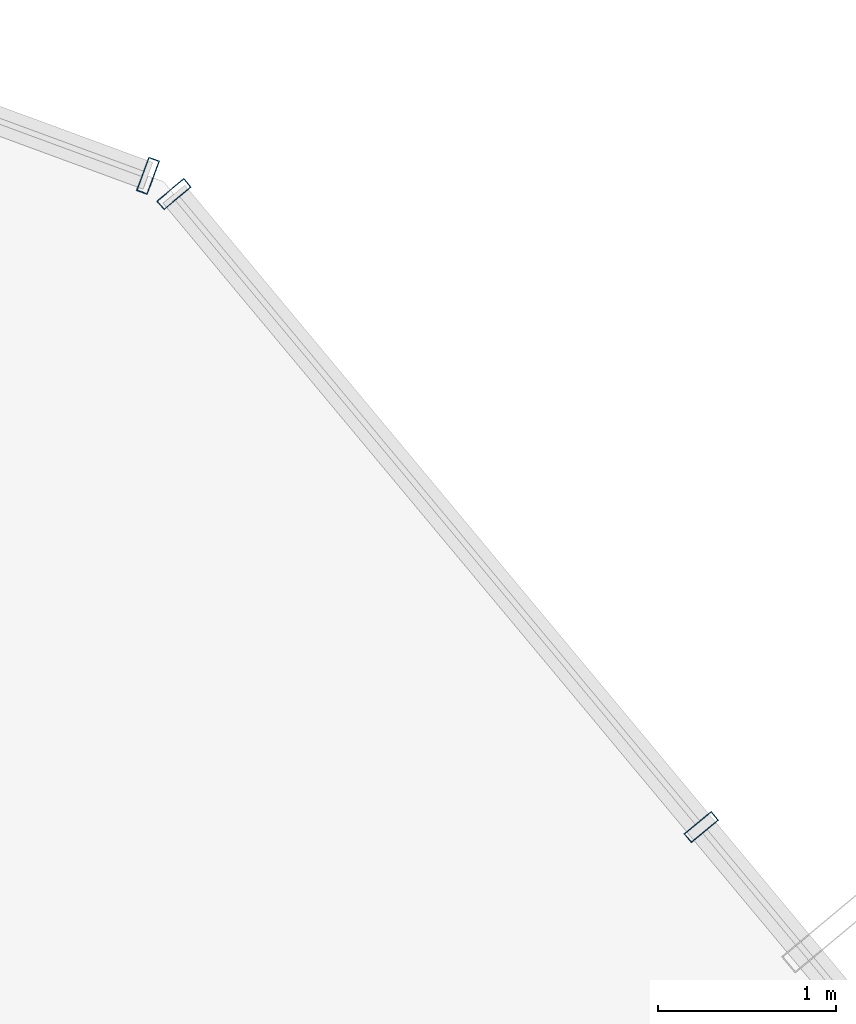
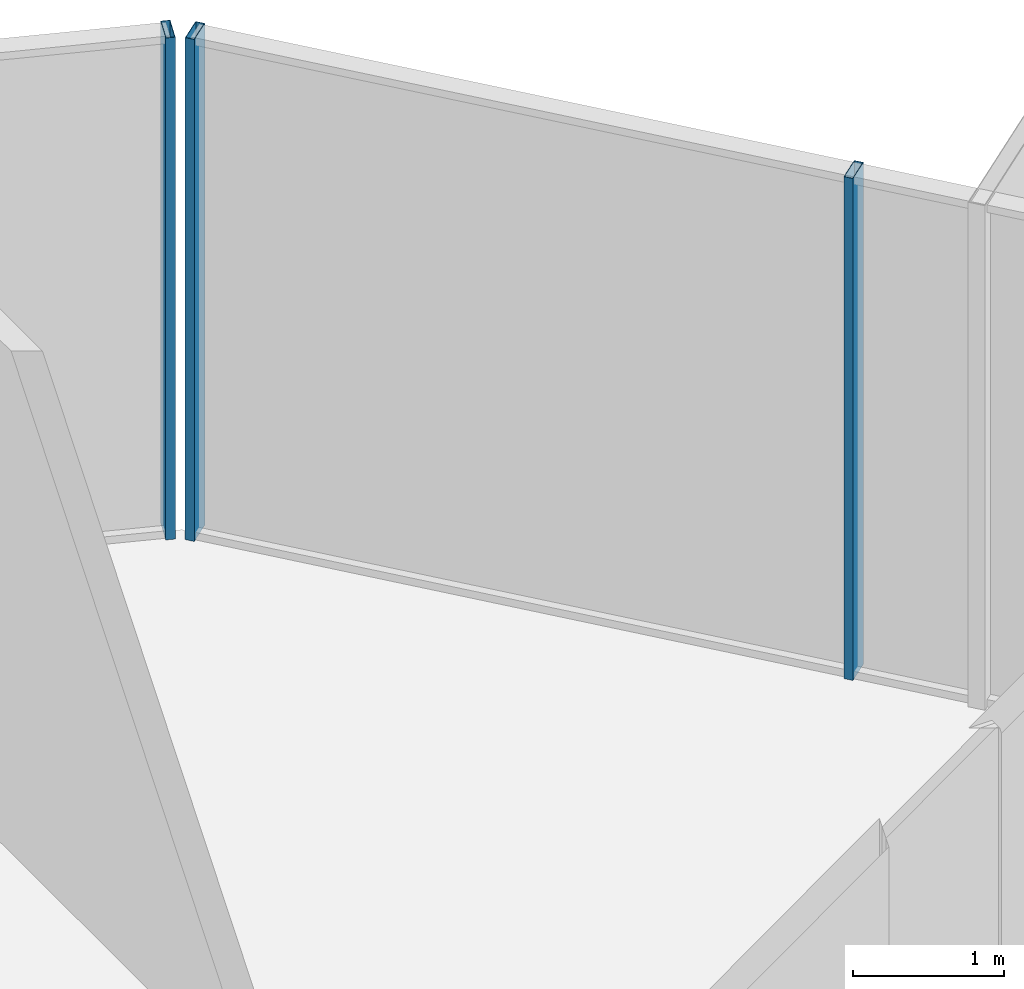
# One storey, part 29 of 35: 3 members, 2 elements without a shape of their own.
"""IFC4 building model written with IfcOpenShell, lengths in metres."""

from ifc_helpers import new_model, si_unit, direction, frame, origin, origin_2d, place, context, subcontext, project, spatial, hollow_rectangle, extrude, source, transform, mapped, material, layer, layer_set, material_profile, profile_set, type_object, element, aggregate, save


model = new_model("IFC4")

# Units and contexts
model_context = context("Model", 3, precision=1e-05, world=origin(), true_north=direction((0.0, 1.0)))
body_context = subcontext(model_context, "Body", "Model", "MODEL_VIEW")
ifc_project = project(units=[si_unit("LENGTHUNIT", "METRE"), si_unit("AREAUNIT", "SQUARE_METRE"), si_unit("VOLUMEUNIT", "CUBIC_METRE"), si_unit("PLANEANGLEUNIT", "RADIAN"), si_unit("MASSUNIT", "GRAM", prefix="KILO")], contexts=[model_context])

# Site, building, storey
site_placement = place(None, origin())
site = spatial("IfcSite", under=ifc_project, at=site_placement, CompositionType="ELEMENT")
building_placement = place(site_placement, origin())
building = spatial("IfcBuilding", under=site, at=building_placement, Name="Veraguas Prism Commons", CompositionType="ELEMENT")
storey_placement = place(building_placement, frame((0.0, 0.0, 56.550048828125)))
storey = spatial("IfcBuildingStorey", under=building, at=storey_placement, Name="L15", CompositionType="ELEMENT", Elevation=56.550048828125)

# Curtain wall, members
ifc_material = material(Name="Anodised aluminium EN AW-6063 T6", Category="aluminium")
ifc_layer = layer(ifc_material, 0.199951171875, Name="Sky Lobby and Pool Acoustic Curtain Wall", Category="aluminium")
ifc_layer_set = layer_set([ifc_layer], Name="Anodised aluminium EN AW-6063 T6")
curtain_wall_type = type_object("IfcCurtainWallType", Name="Sky Lobby and Pool Acoustic Curtain Wall", PredefinedType="NOTDEFINED", material=ifc_layer_set)
curtain_wall_1_placement = place(storey_placement, origin())
curtain_wall_1 = element("IfcCurtainWall", 1, at=curtain_wall_1_placement, inside=storey, type_object=curtain_wall_type, Name="Tower Facade Curtain Wall L15-F1", PredefinedType="NOTDEFINED")
ifc_material_profile = material_profile(ifc_material, hollow_rectangle(XDim=0.06494140625, YDim=0.199951171875, WallThickness=0.00390625, at=origin_2d()), Name="AL65X200X4")
ifc_profile_set = profile_set([ifc_material_profile], Name="Anodised aluminium EN AW-6063 T6")
member_type = type_object("IfcMemberType", Name="Curtain Wall Mullion Heavy AL 65x200x4", PredefinedType="MULLION", material=ifc_profile_set)
shared_shape = source(origin(), body_context, "Body", "SweptSolid", [
    extrude(hollow_rectangle(XDim=0.06494140625, YDim=0.199951171875, WallThickness=0.00390625, at=origin_2d()), origin(), (0.0, 0.0, 1.0), 4.050048828125),
])
member_1_placement = place(storey_placement, frame((36.978515625, 40.89306640625, 0.0), z_axis=(0.0, 0.0, 1.0), x_axis=(-0.640109699485, 0.768283523594, 0.0)))
member_1 = element("IfcMember", 2, at=member_1_placement, type_object=member_type, Name="CW-SKY Mullion 4", PredefinedType="MULLION", context=body_context, shape_type="MappedRepresentation", body=[
    mapped(shared_shape, transform((0.0, 0.0, 0.0), scale=1.0)),
])
member_2_placement = place(storey_placement, frame((34.009521484375, 44.456787109375, 0.0), z_axis=(0.0, 0.0, 1.0), x_axis=(-0.640109699485, 0.768283523594, 0.0)))
member_2 = element("IfcMember", 3, at=member_2_placement, type_object=member_type, Name="CW-SKY Mullion 5", PredefinedType="MULLION", context=body_context, shape_type="MappedRepresentation", body=[
    mapped(shared_shape, transform((0.0, 0.0, 0.0), scale=1.0)),
])
aggregate(curtain_wall_1, [member_1, member_2])

# Curtain wall, member
curtain_wall_2_placement = place(storey_placement, origin())
curtain_wall_2 = element("IfcCurtainWall", 4, at=curtain_wall_2_placement, inside=storey, type_object=curtain_wall_type, Name="Chamfer Curtain Wall L15-C2", PredefinedType="NOTDEFINED")
member_3_placement = place(storey_placement, frame((33.86328125, 44.559814453125, 0.0), z_axis=(0.0, 0.0, 1.0), x_axis=(-0.938493625417, 0.345296561019, 0.0)))
member_3 = element("IfcMember", 5, at=member_3_placement, type_object=member_type, Name="CW-SKY Mullion 1", PredefinedType="MULLION", context=body_context, shape_type="MappedRepresentation", body=[
    mapped(shared_shape, transform((0.0, 0.0, 0.0), scale=1.0)),
])
aggregate(curtain_wall_2, [member_3])

save(model, "model.ifc")
